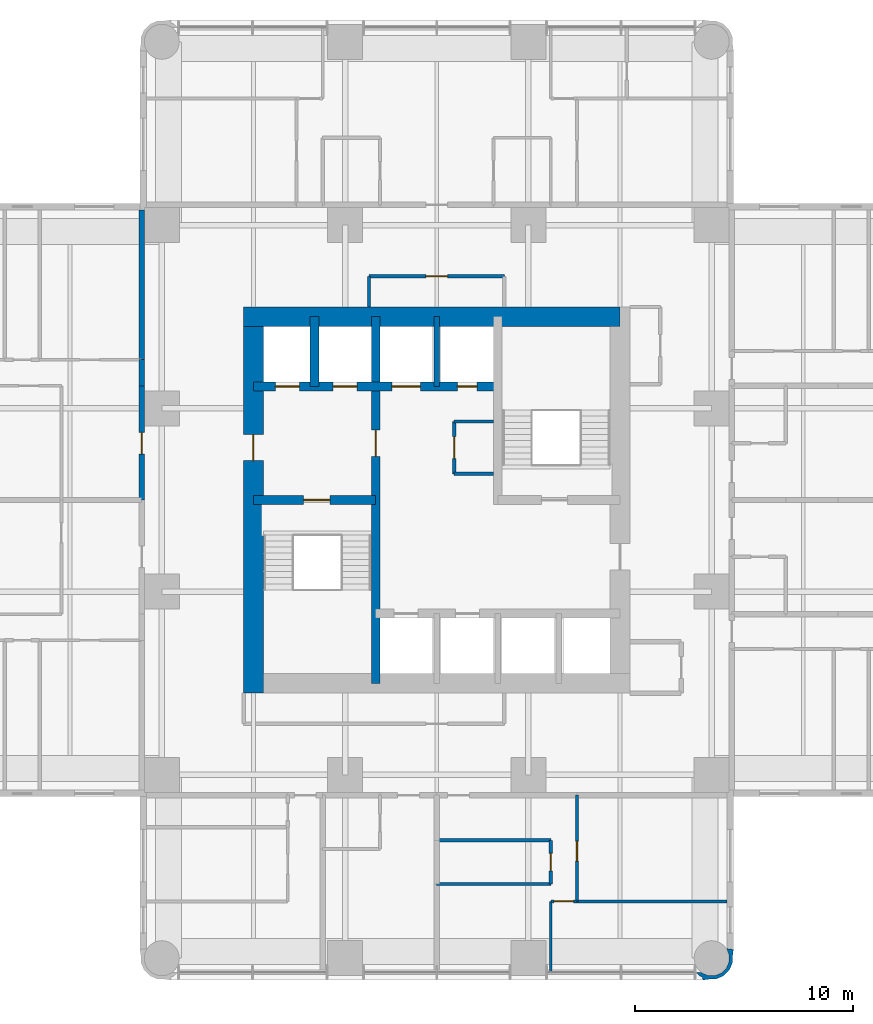
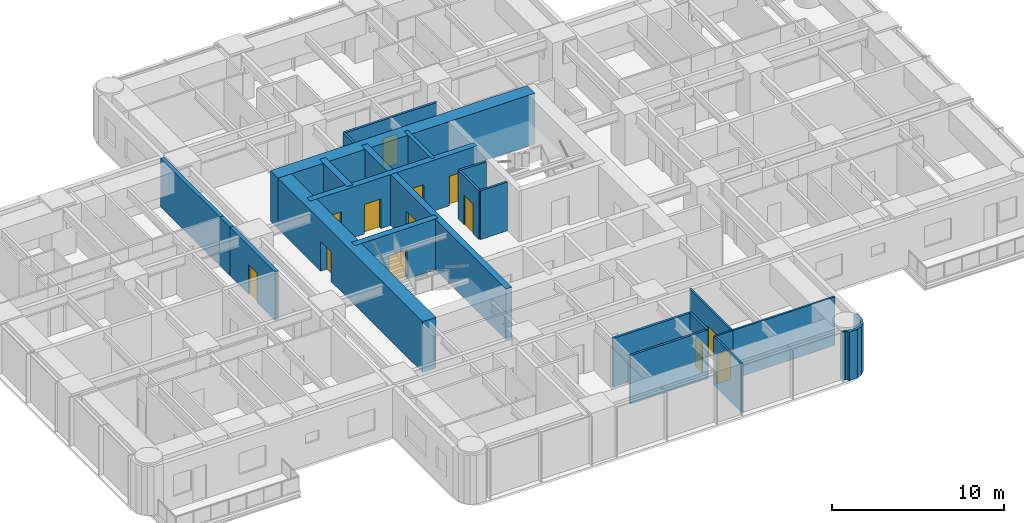
# One storey, part 8 of 14: 23 walls, 13 doors, 13 openings.
"""IFC4 building model written with IfcOpenShell, lengths in metres."""

from ifc_helpers import new_model, si_unit, direction, frame, frame_2d, origin, place, context, subcontext, project, spatial, polyline, rectangle, outline, extrude, material, layer, layer_set, type_object, element, fill, save


model = new_model("IFC4")

# Units and contexts
model_context = context("Model", 3, precision=1e-05, world=origin(), true_north=direction((0.0, 1.0)))
body_context = subcontext(model_context, "Body", "Model", "MODEL_VIEW")
ifc_project = project(units=[si_unit("LENGTHUNIT", "METRE"), si_unit("AREAUNIT", "SQUARE_METRE"), si_unit("VOLUMEUNIT", "CUBIC_METRE"), si_unit("PLANEANGLEUNIT", "RADIAN"), si_unit("MASSUNIT", "GRAM", prefix="KILO")], contexts=[model_context])

# Site, building, storey
site_placement = place(None, origin())
site = spatial("IfcSite", under=ifc_project, at=site_placement, CompositionType="ELEMENT")
building_placement = place(site_placement, origin())
building = spatial("IfcBuilding", under=site, at=building_placement, Name="Torre Alcanfor", CompositionType="ELEMENT")
storey_placement = place(building_placement, frame((0.0, 0.0, 162.89990234375)))
storey = spatial("IfcBuildingStorey", under=building, at=storey_placement, Name="L42", CompositionType="ELEMENT", Elevation=162.89990234375)

# Wall, opening, door
ifc_material_1 = material(Name="Concrete block masonry, hollow blocks NMX-C-404 9 MPa", Category="masonry")
ifc_layer_1 = layer(ifc_material_1, 0.25)
ifc_layer_set_1 = layer_set([ifc_layer_1], Name="Apartment entrance wall 250 EI 60")
wall_type_1 = type_object("IfcWallType", Name="Apartment entrance wall 250 EI 60", PredefinedType="PARTITIONING", material=ifc_layer_set_1)
wall_1_placement = place(storey_placement, frame((15.875, 29.39990234375, 0.0), z_axis=(0.0, 0.0, 1.0), x_axis=(0.0, 1.0, 0.0)))
wall_1 = element("IfcWall", 1, at=wall_1_placement, inside=storey, type_object=wall_type_1, Name="Partition L42-CORR / L42-W2-ZAG", PredefinedType="PARTITIONING", context=body_context, shape_type="SweptSolid", body=[
    extrude(rectangle(XDim=5.22900390625, YDim=0.25, at=frame_2d((2.614501953125, 0.0))), origin(), (0.0, 0.0, 1.0), 3.4501953125),
])
opening_1_placement = place(wall_1_placement, frame((2.10009765625, 0.0, 0.0)))
opening_1 = element("IfcOpeningElement", 2, at=opening_1_placement, cuts=wall_1, Name="Opening D-A1", PredefinedType="OPENING", context=body_context, shape_type="SweptSolid", body=[
    extrude(rectangle(XDim=1.0, YDim=2.10009765625, at=frame_2d((0.5, 1.050048828125))), frame((0.0, 0.135009765625, 0.0), z_axis=(0.0, -1.0, 0.0), x_axis=(1.0, 0.0, 0.0)), (0.0, 0.0, 1.0), 0.27001953125),
])
ifc_material_2 = material(Name="Galvanised steel sheet ASTM A653", Category="steel")
door_type_1 = type_object("IfcDoorType", Name="Apartment entrance door FD60 1000x2100", OperationType="SINGLE_SWING_LEFT", PredefinedType="DOOR", material=ifc_material_2)
door_1_placement = place(opening_1_placement, origin())
door_1 = element("IfcDoor", 3, at=door_1_placement, inside=storey, type_object=door_type_1, Name="Apartment entrance L42-W2", OperationType="SINGLE_SWING_LEFT", OverallHeight=2.10009765625, OverallWidth=1.0, PredefinedType="DOOR", context=body_context, shape_type="SweptSolid", body=[
    extrude(rectangle(XDim=1.0, YDim=2.10009765625, at=frame_2d((0.5, 1.050048828125))), frame((0.0, 0.02490234375, 0.0), z_axis=(0.0, -1.0, 0.0), x_axis=(1.0, 0.0, 0.0)), (0.0, 0.0, 1.0), 0.050048828125),
])
fill(opening_1, door_1)

# Walls
wall_2_placement = place(storey_placement, frame((15.875, 34.62890625, 0.0), z_axis=(0.0, 0.0, 1.0), x_axis=(0.0, 1.0, 0.0)))
element("IfcWall", 4, at=wall_2_placement, inside=storey, type_object=wall_type_1, Name="Partition L42-CORR / L42-W2-HALL", PredefinedType="PARTITIONING", context=body_context, shape_type="SweptSolid", body=[
    extrude(rectangle(XDim=1.2001953125, YDim=0.25, at=frame_2d((0.60009765625, 0.0))), origin(), (0.0, 0.0, 1.0), 3.4501953125),
])
wall_3_placement = place(storey_placement, frame((15.875, 35.8291015625, 0.0), z_axis=(0.0, 0.0, 1.0), x_axis=(0.0, 1.0, 0.0)))
element("IfcWall", 5, at=wall_3_placement, inside=storey, type_object=wall_type_1, Name="Partition L42-CORR / L42-W2-BED2", PredefinedType="PARTITIONING", context=body_context, shape_type="SweptSolid", body=[
    extrude(rectangle(XDim=6.870849609375, YDim=0.25, at=frame_2d((3.435546875, 0.0))), origin(), (0.0, 0.0, 1.0), 3.4501953125),
])

# Wall, opening, door
ifc_material_3 = material(Name="Gypsum board on steel studs", Category="steel")
ifc_layer_2 = layer(ifc_material_3, 0.1201171875)
ifc_layer_set_2 = layer_set([ifc_layer_2], Name="Apartment partition 120")
wall_type_2 = type_object("IfcWallType", Name="Apartment partition 120", PredefinedType="PARTITIONING", material=ifc_layer_set_2)
wall_4_placement = place(storey_placement, frame((35.8291015625, 15.875, 0.0), z_axis=(0.0, 0.0, 1.0), x_axis=(0.0, -1.0, 0.0)))
wall_4 = element("IfcWall", 6, at=wall_4_placement, inside=storey, type_object=wall_type_2, Name="Partition L42-S1-LIVING / L42-S1-BED2", PredefinedType="PARTITIONING", context=body_context, shape_type="SweptSolid", body=[
    extrude(rectangle(XDim=4.875, YDim=0.1201171875, at=frame_2d((2.4375, 0.0))), origin(), (0.0, 0.0, 1.0), 3.4501953125),
])
opening_2_placement = place(wall_4_placement, frame((2.125, 0.0, 0.0)))
opening_2 = element("IfcOpeningElement", 7, at=opening_2_placement, cuts=wall_4, Name="Opening D-R1", PredefinedType="OPENING", context=body_context, shape_type="SweptSolid", body=[
    extrude(rectangle(XDim=0.89990234375, YDim=2.10009765625, at=frame_2d((0.449951171875, 1.050048828125))), frame((0.0, 0.070068359375, 0.0), z_axis=(0.0, -1.0, 0.0), x_axis=(1.0, 0.0, 0.0)), (0.0, 0.0, 1.0), 0.14013671875),
])
ifc_material_4 = material(Name="Timber", Category="wood")
door_type_2 = type_object("IfcDoorType", Name="Internal door 900x2100", OperationType="SINGLE_SWING_LEFT", PredefinedType="DOOR", material=ifc_material_4)
door_2_placement = place(opening_2_placement, origin())
door_2 = element("IfcDoor", 8, at=door_2_placement, inside=storey, type_object=door_type_2, Name="Door L42-S1 bed2", OperationType="SINGLE_SWING_RIGHT", OverallHeight=2.10009765625, OverallWidth=0.89990234375, PredefinedType="DOOR", context=body_context, shape_type="SweptSolid", body=[
    extrude(rectangle(XDim=0.89990234375, YDim=2.10009765625, at=frame_2d((0.449951171875, 1.050048828125))), frame((0.0, 0.02490234375, 0.0), z_axis=(0.0, -1.0, 0.0), x_axis=(1.0, 0.0, 0.0)), (0.0, 0.0, 1.0), 0.050048828125),
])
fill(opening_2, door_2)

wall_5_placement = place(storey_placement, frame((35.8291015625, 11.0, 0.0), z_axis=(0.0, 0.0, 1.0), x_axis=(-1.0, 0.0, 0.0)))
wall_5 = element("IfcWall", 9, at=wall_5_placement, inside=storey, type_object=wall_type_2, Name="Partition L42-S1-LIVING / L42-S1-MASTER", PredefinedType="PARTITIONING", context=body_context, shape_type="SweptSolid", body=[
    extrude(rectangle(XDim=1.2001953125, YDim=0.1201171875, at=frame_2d((0.60009765625, 0.0))), origin(), (0.0, 0.0, 1.0), 3.4501953125),
])
opening_3_placement = place(wall_5_placement, frame((0.14892578125, 0.0, 0.0)))
opening_3 = element("IfcOpeningElement", 10, at=opening_3_placement, cuts=wall_5, Name="Opening D-R1", PredefinedType="OPENING", context=body_context, shape_type="SweptSolid", body=[
    extrude(rectangle(XDim=0.89990234375, YDim=2.10009765625, at=frame_2d((0.449951171875, 1.050048828125))), frame((0.0, 0.070068359375, 0.0), z_axis=(0.0, -1.0, 0.0), x_axis=(1.0, 0.0, 0.0)), (0.0, 0.0, 1.0), 0.14013671875),
])
door_3_placement = place(opening_3_placement, origin())
door_3 = element("IfcDoor", 11, at=door_3_placement, inside=storey, type_object=door_type_2, Name="Door L42-S1 master", OperationType="SINGLE_SWING_RIGHT", OverallHeight=2.10009765625, OverallWidth=0.89990234375, PredefinedType="DOOR", context=body_context, shape_type="SweptSolid", body=[
    extrude(rectangle(XDim=0.89990234375, YDim=2.10009765625, at=frame_2d((0.449951171875, 1.050048828125))), frame((0.0, 0.02490234375, 0.0), z_axis=(0.0, -1.0, 0.0), x_axis=(1.0, 0.0, 0.0)), (0.0, 0.0, 1.0), 0.050048828125),
])
fill(opening_3, door_3)

# Walls
wall_6_placement = place(storey_placement, frame((34.62890625, 11.0, 0.0), z_axis=(0.0, 0.0, 1.0), x_axis=(0.0, -1.0, 0.0)))
element("IfcWall", 12, at=wall_6_placement, inside=storey, type_object=wall_type_2, Name="Partition L42-S1-LIVING / L42-S1-MASTER", PredefinedType="PARTITIONING", context=body_context, shape_type="SweptSolid", body=[
    extrude(rectangle(XDim=3.25, YDim=0.1201171875, at=frame_2d((1.625, 0.0))), origin(), (0.0, 0.0, 1.0), 3.4501953125),
])
wall_7_placement = place(storey_placement, frame((35.8291015625, 11.0, 0.0), z_axis=(0.0, 0.0, 1.0), x_axis=(1.0, 0.0, 0.0)))
element("IfcWall", 13, at=wall_7_placement, inside=storey, type_object=wall_type_2, Name="Partition L42-S1-BED2 / L42-S1-MASTER", PredefinedType="PARTITIONING", context=body_context, shape_type="SweptSolid", body=[
    extrude(rectangle(XDim=6.870849609375, YDim=0.1201171875, at=frame_2d((3.435546875, 0.0))), origin(), (0.0, 0.0, 1.0), 3.4501953125),
])

# Wall, opening, door
ifc_material_5 = material(Name="Concrete f'c 70 MPa", Category="concrete")
ifc_layer_3 = layer(ifc_material_5, 0.39990234375)
ifc_layer_set_3 = layer_set([ifc_layer_3], Name="Core inner wall 400 f'c70")
wall_type_3 = type_object("IfcWallType", Name="Core inner wall 400 f'c70", PredefinedType="SHEAR", material=ifc_layer_set_3)
wall_8_placement = place(storey_placement, frame((26.60009765625, 21.0, 0.0), z_axis=(0.0, 0.0, 1.0), x_axis=(0.0, 1.0, 0.0)))
wall_8 = element("IfcWall", 14, at=wall_8_placement, inside=storey, type_object=wall_type_3, Name="Core wall X266 L42", PredefinedType="SHEAR", context=body_context, shape_type="SweptSolid", body=[
    extrude(rectangle(XDim=16.800048828125, YDim=0.39990234375, at=frame_2d((8.39990234375, 0.0))), origin(), (0.0, 0.0, 1.0), 3.60009765625),
])
opening_4_placement = place(wall_8_placement, frame((10.39990234375, 0.0, 0.0)))
opening_4 = element("IfcOpeningElement", 15, at=opening_4_placement, cuts=wall_8, Name="Opening D-L1", PredefinedType="OPENING", context=body_context, shape_type="SweptSolid", body=[
    extrude(rectangle(XDim=1.199951171875, YDim=2.10009765625, at=frame_2d((0.60009765625, 1.050048828125))), frame((0.0, 0.2099609375, 0.0), z_axis=(0.0, -1.0, 0.0), x_axis=(1.0, 0.0, 0.0)), (0.0, 0.0, 1.0), 0.419921875),
])
ifc_material_6 = material(Name="Galvanised steel sheet ASTM A653", Category="steel")
door_type_3 = type_object("IfcDoorType", Name="Lobby door FD120 1200x2100", OperationType="SINGLE_SWING_LEFT", PredefinedType="DOOR", material=ifc_material_6)
door_4_placement = place(opening_4_placement, origin())
door_4 = element("IfcDoor", 16, at=door_4_placement, inside=storey, type_object=door_type_3, Name="Lift lobby door L42", OperationType="SINGLE_SWING_LEFT", OverallHeight=2.10009765625, OverallWidth=1.199951171875, PredefinedType="DOOR", context=body_context, shape_type="SweptSolid", body=[
    extrude(rectangle(XDim=1.199951171875, YDim=2.10009765625, at=frame_2d((0.60009765625, 1.050048828125))), frame((0.0, 0.02490234375, 0.0), z_axis=(0.0, -1.0, 0.0), x_axis=(1.0, 0.0, 0.0)), (0.0, 0.0, 1.0), 0.050048828125),
])
fill(opening_4, door_4)

wall_9_placement = place(storey_placement, frame((21.0, 29.39990234375, 0.0), z_axis=(0.0, 0.0, 1.0), x_axis=(1.0, 0.0, 0.0)))
wall_9 = element("IfcWall", 17, at=wall_9_placement, inside=storey, type_object=wall_type_3, Name="Core wall Y294W L42", PredefinedType="SHEAR", context=body_context, shape_type="SweptSolid", body=[
    extrude(rectangle(XDim=5.60009765625, YDim=0.39990234375, at=frame_2d((2.800048828125, 0.0))), origin(), (0.0, 0.0, 1.0), 3.60009765625),
])
opening_5_placement = place(wall_9_placement, frame((2.300048828125, 0.0, 0.0)))
opening_5 = element("IfcOpeningElement", 18, at=opening_5_placement, cuts=wall_9, Name="Opening D-S2", PredefinedType="OPENING", context=body_context, shape_type="SweptSolid", body=[
    extrude(rectangle(XDim=1.199951171875, YDim=2.10009765625, at=frame_2d((0.60009765625, 1.050048828125))), frame((0.0, 0.2099609375, 0.0), z_axis=(0.0, -1.0, 0.0), x_axis=(1.0, 0.0, 0.0)), (0.0, 0.0, 1.0), 0.419921875),
])
ifc_material_7 = material(Name="Galvanised steel sheet ASTM A653", Category="steel")
door_type_4 = type_object("IfcDoorType", Name="Stair enclosure door FD120 1200x2100", OperationType="SINGLE_SWING_LEFT", PredefinedType="DOOR", material=ifc_material_7)
door_5_placement = place(opening_5_placement, frame((1.199951171875, 0.0, 0.0), z_axis=(0.0, 0.0, 1.0), x_axis=(-1.0, 0.0, 0.0)))
door_5 = element("IfcDoor", 19, at=door_5_placement, inside=storey, type_object=door_type_4, Name="Stair S1 door L42", OperationType="SINGLE_SWING_LEFT", OverallHeight=2.10009765625, OverallWidth=1.199951171875, PredefinedType="DOOR", context=body_context, shape_type="SweptSolid", body=[
    extrude(rectangle(XDim=1.199951171875, YDim=2.10009765625, at=frame_2d((0.599853515625, 1.050048828125))), frame((0.0, 0.025146484375, 0.0), z_axis=(0.0, -1.0, 0.0), x_axis=(1.0, 0.0, 0.0)), (0.0, 0.0, 1.0), 0.050048828125),
])
fill(opening_5, door_5)

# Wall, openings, doors
wall_10_placement = place(storey_placement, frame((21.0, 34.60009765625, 0.0), z_axis=(0.0, 0.0, 1.0), x_axis=(1.0, 0.0, 0.0)))
wall_10 = element("IfcWall", 20, at=wall_10_placement, inside=storey, type_object=wall_type_3, Name="Core wall Y346 L42", PredefinedType="SHEAR", context=body_context, shape_type="SweptSolid", body=[
    extrude(rectangle(XDim=11.199951171875, YDim=0.39990234375, at=frame_2d((5.60009765625, 0.0))), origin(), (0.0, 0.0, 1.0), 3.60009765625),
])
opening_6_placement = place(wall_10_placement, frame((9.35009765625, 0.0, 0.0)))
opening_6 = element("IfcOpeningElement", 21, at=opening_6_placement, cuts=wall_10, Name="Opening D-Q1", PredefinedType="OPENING", context=body_context, shape_type="SweptSolid", body=[
    extrude(rectangle(XDim=0.89990234375, YDim=2.10009765625, at=frame_2d((0.449951171875, 1.050048828125))), frame((0.0, 0.2099609375, 0.0), z_axis=(0.0, -1.0, 0.0), x_axis=(1.0, 0.0, 0.0)), (0.0, 0.0, 1.0), 0.419921875),
])
opening_7_placement = place(wall_10_placement, frame((1.0, 0.0, 0.0)))
opening_7 = element("IfcOpeningElement", 22, at=opening_7_placement, cuts=wall_10, Name="Opening LD2", PredefinedType="OPENING", context=body_context, shape_type="SweptSolid", body=[
    extrude(rectangle(XDim=1.10009765625, YDim=2.10009765625, at=frame_2d((0.550048828125, 1.050048828125))), frame((0.0, 0.2099609375, 0.0), z_axis=(0.0, -1.0, 0.0), x_axis=(1.0, 0.0, 0.0)), (0.0, 0.0, 1.0), 0.419921875),
])
opening_8_placement = place(wall_10_placement, frame((3.64990234375, 0.0, 0.0)))
opening_8 = element("IfcOpeningElement", 23, at=opening_8_placement, cuts=wall_10, Name="Opening LD2", PredefinedType="OPENING", context=body_context, shape_type="SweptSolid", body=[
    extrude(rectangle(XDim=1.10009765625, YDim=2.10009765625, at=frame_2d((0.550048828125, 1.050048828125))), frame((0.0, 0.2099609375, 0.0), z_axis=(0.0, -1.0, 0.0), x_axis=(1.0, 0.0, 0.0)), (0.0, 0.0, 1.0), 0.419921875),
])
opening_9_placement = place(wall_10_placement, frame((6.35009765625, 0.0, 0.0)))
opening_9 = element("IfcOpeningElement", 24, at=opening_9_placement, cuts=wall_10, Name="Opening LD3", PredefinedType="OPENING", context=body_context, shape_type="SweptSolid", body=[
    extrude(rectangle(XDim=1.300048828125, YDim=2.10009765625, at=frame_2d((0.64990234375, 1.050048828125))), frame((0.0, 0.2099609375, 0.0), z_axis=(0.0, -1.0, 0.0), x_axis=(1.0, 0.0, 0.0)), (0.0, 0.0, 1.0), 0.419921875),
])
ifc_material_8 = material(Name="Galvanised steel sheet ASTM A653", Category="steel")
door_type_5 = type_object("IfcDoorType", Name="Firefighting lift landing door 1100x2100", OperationType="DOUBLE_DOOR_SLIDING", PredefinedType="DOOR", material=ifc_material_8)
door_6_placement = place(opening_7_placement, origin())
door_6 = element("IfcDoor", 25, at=door_6_placement, inside=storey, type_object=door_type_5, Name="Lift landing door FL1 L42", OperationType="DOUBLE_DOOR_SLIDING", OverallHeight=2.10009765625, OverallWidth=1.10009765625, PredefinedType="DOOR", context=body_context, shape_type="SweptSolid", body=[
    extrude(rectangle(XDim=1.10009765625, YDim=2.10009765625, at=frame_2d((0.550048828125, 1.050048828125))), frame((0.0, 0.02490234375, 0.0), z_axis=(0.0, -1.0, 0.0), x_axis=(1.0, 0.0, 0.0)), (0.0, 0.0, 1.0), 0.050048828125),
])
fill(opening_7, door_6)
door_7_placement = place(opening_8_placement, origin())
door_7 = element("IfcDoor", 26, at=door_7_placement, inside=storey, type_object=door_type_5, Name="Lift landing door FL2 L42", OperationType="DOUBLE_DOOR_SLIDING", OverallHeight=2.10009765625, OverallWidth=1.10009765625, PredefinedType="DOOR", context=body_context, shape_type="SweptSolid", body=[
    extrude(rectangle(XDim=1.10009765625, YDim=2.10009765625, at=frame_2d((0.550048828125, 1.050048828125))), frame((0.0, 0.02490234375, 0.0), z_axis=(0.0, -1.0, 0.0), x_axis=(1.0, 0.0, 0.0)), (0.0, 0.0, 1.0), 0.050048828125),
])
fill(opening_8, door_7)
ifc_material_9 = material(Name="Galvanised steel sheet ASTM A653", Category="steel")
door_type_6 = type_object("IfcDoorType", Name="Riser access door FD120 900x2100", OperationType="SINGLE_SWING_LEFT", PredefinedType="DOOR", material=ifc_material_9)
door_8_placement = place(opening_6_placement, origin())
door_8 = element("IfcDoor", 27, at=door_8_placement, inside=storey, type_object=door_type_6, Name="Riser door L42", OperationType="SINGLE_SWING_LEFT", OverallHeight=2.10009765625, OverallWidth=0.89990234375, PredefinedType="DOOR", context=body_context, shape_type="SweptSolid", body=[
    extrude(rectangle(XDim=0.89990234375, YDim=2.10009765625, at=frame_2d((0.449951171875, 1.050048828125))), frame((0.0, 0.02490234375, 0.0), z_axis=(0.0, -1.0, 0.0), x_axis=(1.0, 0.0, 0.0)), (0.0, 0.0, 1.0), 0.050048828125),
])
fill(opening_6, door_8)
ifc_material_10 = material(Name="Galvanised steel sheet ASTM A653", Category="steel")
door_type_7 = type_object("IfcDoorType", Name="Service lift landing door 1300x2100", OperationType="DOUBLE_DOOR_SLIDING", PredefinedType="DOOR", material=ifc_material_10)
door_9_placement = place(opening_9_placement, origin())
door_9 = element("IfcDoor", 28, at=door_9_placement, inside=storey, type_object=door_type_7, Name="Lift landing door SL1 L42", OperationType="DOUBLE_DOOR_SLIDING", OverallHeight=2.10009765625, OverallWidth=1.300048828125, PredefinedType="DOOR", context=body_context, shape_type="SweptSolid", body=[
    extrude(rectangle(XDim=1.300048828125, YDim=2.10009765625, at=frame_2d((0.64990234375, 1.050048828125))), frame((0.0, 0.02490234375, 0.0), z_axis=(0.0, -1.0, 0.0), x_axis=(1.0, 0.0, 0.0)), (0.0, 0.0, 1.0), 0.050048828125),
])
fill(opening_9, door_9)

# Walls
wall_11_placement = place(storey_placement, frame((23.800048828125, 34.60009765625, 0.0), z_axis=(0.0, 0.0, 1.0), x_axis=(0.0, 1.0, 0.0)))
element("IfcWall", 29, at=wall_11_placement, inside=storey, type_object=wall_type_3, Name="Core wall X238 L42", PredefinedType="SHEAR", context=body_context, shape_type="SweptSolid", body=[
    extrude(rectangle(XDim=3.199951171875, YDim=0.39990234375, at=frame_2d((1.60009765625, 0.0))), origin(), (0.0, 0.0, 1.0), 3.60009765625),
])
ifc_material_11 = material(Name="Concrete f'c 70 MPa", Category="concrete")
ifc_layer_4 = layer(ifc_material_11, 0.25)
ifc_layer_set_4 = layer_set([ifc_layer_4], Name="Core shaft wall 250 f'c70")
wall_type_4 = type_object("IfcWallType", Name="Core shaft wall 250 f'c70", PredefinedType="SHEAR", material=ifc_layer_set_4)
wall_12_placement = place(storey_placement, frame((29.39990234375, 34.60009765625, 0.0), z_axis=(0.0, 0.0, 1.0), x_axis=(0.0, 1.0, 0.0)))
element("IfcWall", 30, at=wall_12_placement, inside=storey, type_object=wall_type_4, Name="Core wall X294N L42", PredefinedType="SHEAR", context=body_context, shape_type="SweptSolid", body=[
    extrude(rectangle(XDim=3.199951171875, YDim=0.25, at=frame_2d((1.60009765625, 0.0))), origin(), (0.0, 0.0, 1.0), 3.60009765625),
])
ifc_material_12 = material(Name="Concrete f'c 70 MPa", Category="concrete")
ifc_layer_5 = layer(ifc_material_12, 0.89990234375)
ifc_layer_set_5 = layer_set([ifc_layer_5], Name="Core wall 900 f'c70")
wall_type_5 = type_object("IfcWallType", Name="Core wall 900 f'c70", PredefinedType="SHEAR", material=ifc_layer_set_5)
wall_13_placement = place(storey_placement, frame((37.800048828125, 37.800048828125, 0.0), z_axis=(0.0, 0.0, 1.0), x_axis=(-1.0, 0.0, 0.0)))
element("IfcWall", 31, at=wall_13_placement, inside=storey, type_object=wall_type_5, Name="Core wall OUT-N L42", PredefinedType="SHEAR", context=body_context, shape_type="SweptSolid", body=[
    extrude(rectangle(XDim=17.25, YDim=0.89990234375, at=frame_2d((8.625, 0.0))), origin(), (0.0, 0.0, 1.0), 3.60009765625),
])

# Wall, opening, door
wall_14_placement = place(storey_placement, frame((21.0, 37.800048828125, 0.0), z_axis=(0.0, 0.0, 1.0), x_axis=(0.0, -1.0, 0.0)))
wall_14 = element("IfcWall", 32, at=wall_14_placement, inside=storey, type_object=wall_type_5, Name="Core wall OUT-W L42", PredefinedType="SHEAR", context=body_context, shape_type="SweptSolid", body=[
    extrude(rectangle(XDim=17.25, YDim=0.89990234375, at=frame_2d((8.625, 0.0))), origin(), (0.0, 0.0, 1.0), 3.60009765625),
])
opening_10_placement = place(wall_14_placement, frame((5.39990234375, 0.0, 0.0)))
opening_10 = element("IfcOpeningElement", 33, at=opening_10_placement, cuts=wall_14, Name="Opening D-L1", PredefinedType="OPENING", context=body_context, shape_type="SweptSolid", body=[
    extrude(rectangle(XDim=1.199951171875, YDim=2.10009765625, at=frame_2d((0.60009765625, 1.050048828125))), frame((0.0, 0.4599609375, 0.0), z_axis=(0.0, -1.0, 0.0), x_axis=(1.0, 0.0, 0.0)), (0.0, 0.0, 1.0), 0.919921875),
])
door_10_placement = place(opening_10_placement, origin())
door_10 = element("IfcDoor", 34, at=door_10_placement, inside=storey, type_object=door_type_3, Name="Firefighting lobby door L42", OperationType="SINGLE_SWING_LEFT", OverallHeight=2.10009765625, OverallWidth=1.199951171875, PredefinedType="DOOR", context=body_context, shape_type="SweptSolid", body=[
    extrude(rectangle(XDim=1.199951171875, YDim=2.10009765625, at=frame_2d((0.60009765625, 1.050048828125))), frame((0.0, 0.02490234375, 0.0), z_axis=(0.0, -1.0, 0.0), x_axis=(1.0, 0.0, 0.0)), (0.0, 0.0, 1.0), 0.050048828125),
])
fill(opening_10, door_10)

ifc_material_13 = material(Name="Concrete block masonry, hollow blocks NMX-C-404 9 MPa", Category="masonry")
ifc_layer_6 = layer(ifc_material_13, 0.14990234375)
ifc_layer_set_6 = layer_set([ifc_layer_6], Name="Residents' room partition 150")
wall_type_6 = type_object("IfcWallType", Name="Residents' room partition 150", PredefinedType="PARTITIONING", material=ifc_layer_set_6)
wall_15_placement = place(storey_placement, frame((32.5, 39.64990234375, 0.0), z_axis=(0.0, 0.0, 1.0), x_axis=(-1.0, 0.0, 0.0)))
wall_15 = element("IfcWall", 35, at=wall_15_placement, inside=storey, type_object=wall_type_6, Name="Partition L42-CORR / L42-G01", PredefinedType="PARTITIONING", context=body_context, shape_type="SweptSolid", body=[
    extrude(rectangle(XDim=6.199951171875, YDim=0.14990234375, at=frame_2d((3.10009765625, 0.0))), origin(), (0.0, 0.0, 1.0), 3.4501953125),
])
opening_11_placement = place(wall_15_placement, frame((2.60009765625, 0.0, 0.0)))
opening_11 = element("IfcOpeningElement", 36, at=opening_11_placement, cuts=wall_15, Name="Opening D-M1", PredefinedType="OPENING", context=body_context, shape_type="SweptSolid", body=[
    extrude(rectangle(XDim=1.0, YDim=2.10009765625, at=frame_2d((0.5, 1.050048828125))), frame((0.0, 0.0849609375, 0.0), z_axis=(0.0, -1.0, 0.0), x_axis=(1.0, 0.0, 0.0)), (0.0, 0.0, 1.0), 0.169921875),
])
ifc_material_14 = material(Name="Timber", Category="wood")
door_type_8 = type_object("IfcDoorType", Name="Residents' room door 1000x2100", OperationType="SINGLE_SWING_LEFT", PredefinedType="DOOR", material=ifc_material_14)
door_11_placement = place(opening_11_placement, origin())
door_11 = element("IfcDoor", 37, at=door_11_placement, inside=storey, type_object=door_type_8, Name="Door L42-G01 cleaners' store", OperationType="SINGLE_SWING_LEFT", OverallHeight=2.10009765625, OverallWidth=1.0, PredefinedType="DOOR", context=body_context, shape_type="SweptSolid", body=[
    extrude(rectangle(XDim=1.0, YDim=2.10009765625, at=frame_2d((0.5, 1.050048828125))), frame((0.0, 0.02490234375, 0.0), z_axis=(0.0, -1.0, 0.0), x_axis=(1.0, 0.0, 0.0)), (0.0, 0.0, 1.0), 0.050048828125),
])
fill(opening_11, door_11)

# Walls
wall_16_placement = place(storey_placement, frame((26.300048828125, 39.64990234375, 0.0), z_axis=(0.0, 0.0, 1.0), x_axis=(0.0, -1.0, 0.0)))
element("IfcWall", 38, at=wall_16_placement, inside=storey, type_object=wall_type_6, Name="Partition L42-CORR / L42-G01", PredefinedType="PARTITIONING", context=body_context, shape_type="SweptSolid", body=[
    extrude(rectangle(XDim=1.39990234375, YDim=0.14990234375, at=frame_2d((0.699951171875, 0.0))), origin(), (0.0, 0.0, 1.0), 3.4501953125),
])
wall_17_placement = place(storey_placement, frame((32.0, 30.60009765625, 0.0), z_axis=(0.0, 0.0, 1.0), x_axis=(-1.0, 0.0, 0.0)))
element("IfcWall", 39, at=wall_17_placement, inside=storey, type_object=wall_type_6, Name="Partition L42-LL / L42-CR1", PredefinedType="PARTITIONING", context=body_context, shape_type="SweptSolid", body=[
    extrude(rectangle(XDim=1.800048828125, YDim=0.14990234375, at=frame_2d((0.89990234375, 0.0))), origin(), (0.0, 0.0, 1.0), 3.4501953125),
])

# Wall, opening, door
wall_18_placement = place(storey_placement, frame((30.199951171875, 30.60009765625, 0.0), z_axis=(0.0, 0.0, 1.0), x_axis=(0.0, 1.0, 0.0)))
wall_18 = element("IfcWall", 40, at=wall_18_placement, inside=storey, type_object=wall_type_6, Name="Partition L42-LL / L42-CR1", PredefinedType="PARTITIONING", context=body_context, shape_type="SweptSolid", body=[
    extrude(rectangle(XDim=2.39990234375, YDim=0.14990234375, at=frame_2d((1.199951171875, 0.0))), origin(), (0.0, 0.0, 1.0), 3.4501953125),
])
opening_12_placement = place(wall_18_placement, frame((0.699951171875, 0.0, 0.0)))
opening_12 = element("IfcOpeningElement", 41, at=opening_12_placement, cuts=wall_18, Name="Opening D-M1", PredefinedType="OPENING", context=body_context, shape_type="SweptSolid", body=[
    extrude(rectangle(XDim=1.0, YDim=2.10009765625, at=frame_2d((0.5, 1.050048828125))), frame((0.0, 0.0849609375, 0.0), z_axis=(0.0, -1.0, 0.0), x_axis=(1.0, 0.0, 0.0)), (0.0, 0.0, 1.0), 0.169921875),
])
door_12_placement = place(opening_12_placement, frame((1.0, 0.0, 0.0), z_axis=(0.0, 0.0, 1.0), x_axis=(-1.0, 0.0, 0.0)))
door_12 = element("IfcDoor", 42, at=door_12_placement, inside=storey, type_object=door_type_8, Name="Vending and ice room door L42", OperationType="SINGLE_SWING_RIGHT", OverallHeight=2.10009765625, OverallWidth=1.0, PredefinedType="DOOR", context=body_context, shape_type="SweptSolid", body=[
    extrude(rectangle(XDim=1.0, YDim=2.10009765625, at=frame_2d((0.5, 1.050048828125))), frame((0.0, 0.025146484375, 0.0), z_axis=(0.0, -1.0, 0.0), x_axis=(1.0, 0.0, 0.0)), (0.0, 0.0, 1.0), 0.050048828125),
])
fill(opening_12, door_12)

# Walls
wall_19_placement = place(storey_placement, frame((30.199951171875, 33.0, 0.0), z_axis=(0.0, 0.0, 1.0), x_axis=(1.0, 0.0, 0.0)))
element("IfcWall", 43, at=wall_19_placement, inside=storey, type_object=wall_type_6, Name="Partition L42-LL / L42-CR1", PredefinedType="PARTITIONING", context=body_context, shape_type="SweptSolid", body=[
    extrude(rectangle(XDim=1.800048828125, YDim=0.14990234375, at=frame_2d((0.89990234375, 0.0))), origin(), (0.0, 0.0, 1.0), 3.4501953125),
])
ifc_material_15 = material(Name="Limestone cladding", Category="masonry")
ifc_layer_7 = layer(ifc_material_15, 0.0400390625, Name="Facing")
ifc_material_16 = material(Name="Ventilated air cavity")
ifc_layer_8 = layer(ifc_material_16, 0.02001953125, ventilated=True, Name="Ventilated joint")
ifc_material_17 = material(Name="Mineral wool insulation", Category="insulation")
ifc_layer_9 = layer(ifc_material_17, 0.10009765625, Name="Insulation")
ifc_material_18 = material(Name="Concrete f'c 35 MPa", Category="concrete")
ifc_layer_10 = layer(ifc_material_18, 0.139892578125, Name="Backing")
ifc_layer_set_7 = layer_set([ifc_layer_7, ifc_layer_8, ifc_layer_9, ifc_layer_10], Name="Rounded corner pier stone-clad 300")
wall_type_7 = type_object("IfcWallType", Name="Rounded corner pier stone-clad 300", PredefinedType="SOLIDWALL", material=ifc_layer_set_7)
wall_20_placement = place(storey_placement, frame((41.351928198, 7.804682488, 0.0), z_axis=(0.0, 0.0, 1.0), x_axis=(0.343276641956, -0.93923434088, 0.0)))
element("IfcWall", 44, at=wall_20_placement, inside=storey, type_object=wall_type_7, Name="Corner pier L42 16", PredefinedType="SOLIDWALL", context=body_context, shape_type="SweptSolid", body=[
    extrude(outline(polyline([(-0.3691376945080963, 1.8896116474277462), (-0.5092849006082865, 1.6213723434863179), (-0.4904818693699753, 1.614500106025285), (-0.47937395557818696, 1.6086207727425919), (-0.21134604487110653, 1.620093396259431), (0.08789731812884549, 1.5107242513003132), (0.3226193813038204, 1.29522875171589), (0.4568297522668325, 1.0059961170728082), (0.47018090116819644, 0.6876338955306306), (0.3608955639829935, 0.3886198377896824), (0.14540006439857034, 0.15389777461470747), (0.10805580570731482, 0.136354268630141), (0.030952653705484567, -0.07460656965335008), (0.24105149879401783, 0.023022242841209073), (0.33345144333490195, 0.12363819812835387), (0.46537419024986754, 0.09413770889727405), (0.5320249985235461, 0.39313792602006), (0.6305829406476248, 0.6628009106085226), (0.6143313238115743, 1.0443478664441104), (0.4534111053034037, 1.390650880852334), (0.17226586261802523, 1.6491069643028293), (-0.09739712197043726, 1.7476649064269079), (-0.3691376945080963, 1.8896116474277462)])), origin(), (0.0, 0.0, 1.0), 3.4501953125),
])
ifc_material_19 = material(Name="Cement board on steel studs", Category="steel")
ifc_layer_11 = layer(ifc_material_19, 0.14990234375)
ifc_layer_set_8 = layer_set([ifc_layer_11], Name="Wet area partition 150")
wall_type_8 = type_object("IfcWallType", Name="Wet area partition 150", PredefinedType="PARTITIONING", material=ifc_layer_set_8)
wall_21_placement = place(storey_placement, frame((29.39990234375, 11.800048828125, 0.0), z_axis=(0.0, 0.0, 1.0), x_axis=(1.0, 0.0, 0.0)))
element("IfcWall", 45, at=wall_21_placement, inside=storey, type_object=wall_type_8, Name="Partition L42-S1-BATH / L42-S1-LIVING", PredefinedType="PARTITIONING", context=body_context, shape_type="SweptSolid", body=[
    extrude(rectangle(XDim=5.22900390625, YDim=0.14990234375, at=frame_2d((2.614501953125, 0.0))), origin(), (0.0, 0.0, 1.0), 3.4501953125),
])

# Wall, opening, door
wall_22_placement = place(storey_placement, frame((34.62890625, 11.800048828125, 0.0), z_axis=(0.0, 0.0, 1.0), x_axis=(0.0, 1.0, 0.0)))
wall_22 = element("IfcWall", 46, at=wall_22_placement, inside=storey, type_object=wall_type_8, Name="Partition L42-S1-BATH / L42-S1-LIVING", PredefinedType="PARTITIONING", context=body_context, shape_type="SweptSolid", body=[
    extrude(rectangle(XDim=2.0, YDim=0.14990234375, at=frame_2d((1.0, 0.0))), origin(), (0.0, 0.0, 1.0), 3.4501953125),
])
opening_13_placement = place(wall_22_placement, frame((0.60009765625, 0.0, 0.0)))
opening_13 = element("IfcOpeningElement", 47, at=opening_13_placement, cuts=wall_22, Name="Opening D-R2", PredefinedType="OPENING", context=body_context, shape_type="SweptSolid", body=[
    extrude(rectangle(XDim=0.800048828125, YDim=2.10009765625, at=frame_2d((0.39990234375, 1.050048828125))), frame((0.0, 0.0849609375, 0.0), z_axis=(0.0, -1.0, 0.0), x_axis=(1.0, 0.0, 0.0)), (0.0, 0.0, 1.0), 0.169921875),
])
ifc_material_20 = material(Name="Timber", Category="wood")
door_type_9 = type_object("IfcDoorType", Name="Bathroom door 800x2100", OperationType="SINGLE_SWING_LEFT", PredefinedType="DOOR", material=ifc_material_20)
door_13_placement = place(opening_13_placement, origin())
door_13 = element("IfcDoor", 48, at=door_13_placement, inside=storey, type_object=door_type_9, Name="Door L42-S1 bath", OperationType="SINGLE_SWING_LEFT", OverallHeight=2.10009765625, OverallWidth=0.800048828125, PredefinedType="DOOR", context=body_context, shape_type="SweptSolid", body=[
    extrude(rectangle(XDim=0.800048828125, YDim=2.10009765625, at=frame_2d((0.39990234375, 1.050048828125))), frame((0.0, 0.02490234375, 0.0), z_axis=(0.0, -1.0, 0.0), x_axis=(1.0, 0.0, 0.0)), (0.0, 0.0, 1.0), 0.050048828125),
])
fill(opening_13, door_13)

# Wall
wall_23_placement = place(storey_placement, frame((34.62890625, 13.800048828125, 0.0), z_axis=(0.0, 0.0, 1.0), x_axis=(-1.0, 0.0, 0.0)))
element("IfcWall", 49, at=wall_23_placement, inside=storey, type_object=wall_type_8, Name="Partition L42-S1-BATH / L42-S1-LIVING", PredefinedType="PARTITIONING", context=body_context, shape_type="SweptSolid", body=[
    extrude(rectangle(XDim=5.22900390625, YDim=0.14990234375, at=frame_2d((2.614501953125, 0.0))), origin(), (0.0, 0.0, 1.0), 3.4501953125),
])

save(model, "model.ifc")
